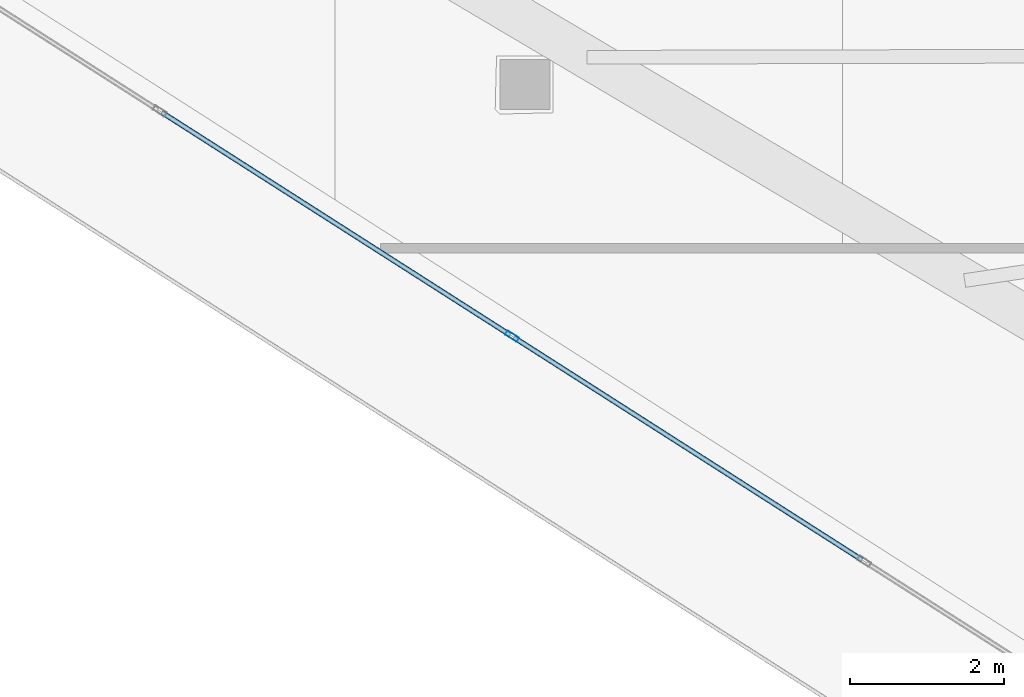
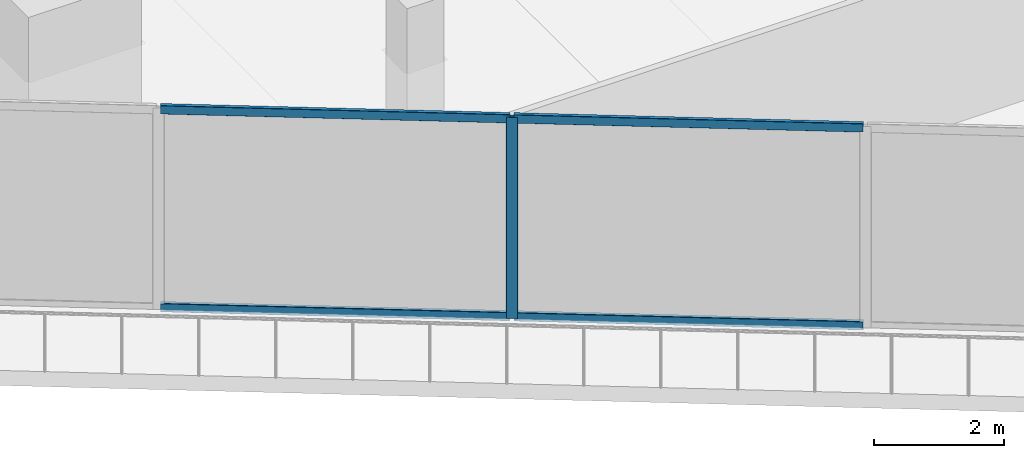
# One storey, part 3 of 42: 5 members, 1 element without a shape of its own.
"""IFC4 building model written with IfcOpenShell, lengths in metres."""

from ifc_helpers import new_model, si_unit, direction, frame, origin, origin_2d, place, context, subcontext, project, spatial, hollow_rectangle, extrude, material, layer, layer_set, material_profile, profile_set, type_object, element, aggregate, save


model = new_model("IFC4")

# Units and contexts
model_context = context("Model", 3, precision=1e-05, world=origin(), true_north=direction((0.0, 1.0)))
body_context = subcontext(model_context, "Body", "Model", "MODEL_VIEW")
ifc_project = project(units=[si_unit("LENGTHUNIT", "METRE"), si_unit("AREAUNIT", "SQUARE_METRE"), si_unit("VOLUMEUNIT", "CUBIC_METRE"), si_unit("PLANEANGLEUNIT", "RADIAN"), si_unit("MASSUNIT", "GRAM", prefix="KILO")], contexts=[model_context])

# Site, building, storey
site_placement = place(None, origin())
site = spatial("IfcSite", under=ifc_project, at=site_placement, CompositionType="ELEMENT")
building_placement = place(site_placement, origin())
building = spatial("IfcBuilding", under=site, at=building_placement, Name="Qorvath Tower", CompositionType="ELEMENT")
storey_placement = place(building_placement, frame((0.0, 0.0, 121.949951171875)))
storey = spatial("IfcBuildingStorey", under=building, at=storey_placement, Name="L27", CompositionType="ELEMENT", Elevation=121.949951171875)

# Curtain wall, members
ifc_material_1 = material(Name="Anodised aluminium and triple low-E glass", Category="aluminium")
ifc_layer = layer(ifc_material_1, 0.179931640625)
ifc_layer_set = layer_set([ifc_layer], Name="CW-SYS-2")
curtain_wall_type = type_object("IfcCurtainWallType", Name="CW-SYS-2", PredefinedType="NOTDEFINED", material=ifc_layer_set)
curtain_wall_placement = place(storey_placement, origin())
curtain_wall = element("IfcCurtainWall", 1, at=curtain_wall_placement, inside=storey, type_object=curtain_wall_type, Name="Curtain Wall CW-2 CW-T-L27-2.1", PredefinedType="NOTDEFINED")
ifc_material_2 = material(Name="Anodised aluminium 6063-T6", Category="aluminium")
ifc_material_profile_1 = material_profile(ifc_material_2, hollow_rectangle(XDim=0.06494140625, YDim=0.179931640625, WallThickness=0.00341796875, InnerFilletRadius=0.00341796875, OuterFilletRadius=0.007080078125, at=origin_2d()), Name="CWM 180x65")
ifc_profile_set_1 = profile_set([ifc_material_profile_1], Name="Anodised aluminium 6063-T6")
member_type_1 = type_object("IfcMemberType", Name="CWM-180", PredefinedType="MULLION", material=ifc_profile_set_1)
member_1_placement = place(storey_placement, frame((-48.7451171875, -9.69287109375, 0.0), z_axis=(0.0, 0.0, 1.0), x_axis=(0.538534177075, 0.842603667285, 0.0)))
member_1 = element("IfcMember", 2, at=member_1_placement, type_object=member_type_1, Name="CW-2 mullion 3", PredefinedType="MULLION", context=body_context, shape_type="SweptSolid", body=[
    extrude(hollow_rectangle(XDim=0.06494140625, YDim=0.179931640625, WallThickness=0.00341796875, InnerFilletRadius=0.00341796875, OuterFilletRadius=0.007080078125, at=origin_2d()), origin(), (0.0, 0.0, 1.0), 3.77001953125),
])
ifc_material_3 = material(Name="Anodised aluminium 6063-T6", Category="aluminium")
ifc_material_profile_2 = material_profile(ifc_material_3, hollow_rectangle(XDim=0.06494140625, YDim=0.159912109375, WallThickness=0.00341796875, InnerFilletRadius=0.00341796875, OuterFilletRadius=0.007080078125, at=origin_2d()), Name="CWT 160x65")
ifc_profile_set_2 = profile_set([ifc_material_profile_2], Name="Anodised aluminium 6063-T6")
member_type_2 = type_object("IfcMemberType", Name="CWT-160", PredefinedType="USERDEFINED", material=ifc_profile_set_2)
member_2_placement = place(storey_placement, frame((-53.289794921875, -6.788330078125, 0.032470703125), z_axis=(0.842621067422, -0.538506951428, 0.0), x_axis=(0.538506951428, 0.842621067422, 0.0)))
member_2 = element("IfcMember", 3, at=member_2_placement, type_object=member_type_2, Name="CW-2 transom 2.1", ObjectType="TRANSOM", PredefinedType="USERDEFINED", context=body_context, shape_type="SweptSolid", body=[
    extrude(hollow_rectangle(XDim=0.06494140625, YDim=0.159912109375, WallThickness=0.00341796875, InnerFilletRadius=0.00341796875, OuterFilletRadius=0.007080078125, at=origin_2d()), origin(), (0.0, 0.0, 1.0), 5.361083984375),
])
member_3_placement = place(storey_placement, frame((-53.289794921875, -6.788330078125, 3.737548828125), z_axis=(0.842621067422, -0.538506951428, 0.0), x_axis=(0.538506951428, 0.842621067422, 0.0)))
member_3 = element("IfcMember", 4, at=member_3_placement, type_object=member_type_2, Name="CW-2 transom 2.2", ObjectType="TRANSOM", PredefinedType="USERDEFINED", context=body_context, shape_type="SweptSolid", body=[
    extrude(hollow_rectangle(XDim=0.06494140625, YDim=0.159912109375, WallThickness=0.00341796875, InnerFilletRadius=0.00341796875, OuterFilletRadius=0.007080078125, at=origin_2d()), origin(), (0.0, 0.0, 1.0), 5.361083984375),
])
member_4_placement = place(storey_placement, frame((-48.7177734375, -9.71044921875, 0.032470703125), z_axis=(0.842621067422, -0.538506951428, 0.0), x_axis=(0.538506951428, 0.842621067422, 0.0)))
member_4 = element("IfcMember", 5, at=member_4_placement, type_object=member_type_2, Name="CW-2 transom 3.1", ObjectType="TRANSOM", PredefinedType="USERDEFINED", context=body_context, shape_type="SweptSolid", body=[
    extrude(hollow_rectangle(XDim=0.06494140625, YDim=0.159912109375, WallThickness=0.00341796875, InnerFilletRadius=0.00341796875, OuterFilletRadius=0.007080078125, at=origin_2d()), origin(), (0.0, 0.0, 1.0), 5.361083984375),
])
member_5_placement = place(storey_placement, frame((-48.7177734375, -9.71044921875, 3.737548828125), z_axis=(0.842621067422, -0.538506951428, 0.0), x_axis=(0.538506951428, 0.842621067422, 0.0)))
member_5 = element("IfcMember", 6, at=member_5_placement, type_object=member_type_2, Name="CW-2 transom 3.2", ObjectType="TRANSOM", PredefinedType="USERDEFINED", context=body_context, shape_type="SweptSolid", body=[
    extrude(hollow_rectangle(XDim=0.06494140625, YDim=0.159912109375, WallThickness=0.00341796875, InnerFilletRadius=0.00341796875, OuterFilletRadius=0.007080078125, at=origin_2d()), origin(), (0.0, 0.0, 1.0), 5.361083984375),
])
aggregate(curtain_wall, [member_1, member_2, member_3, member_4, member_5])

save(model, "model.ifc")
